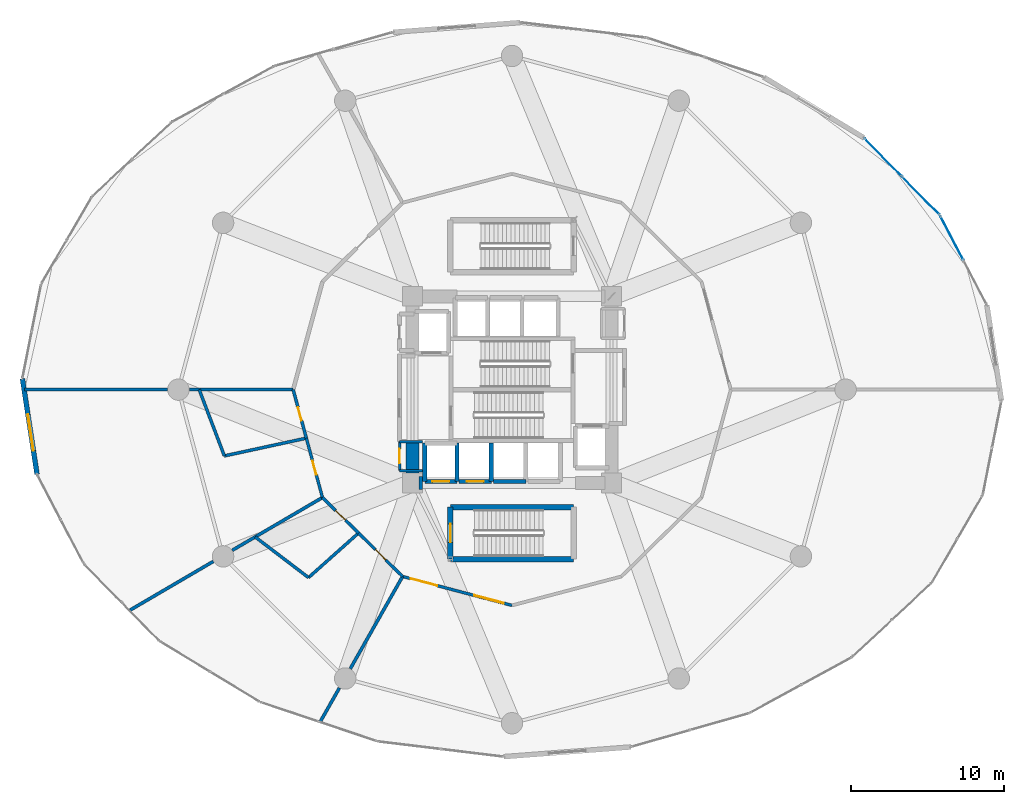
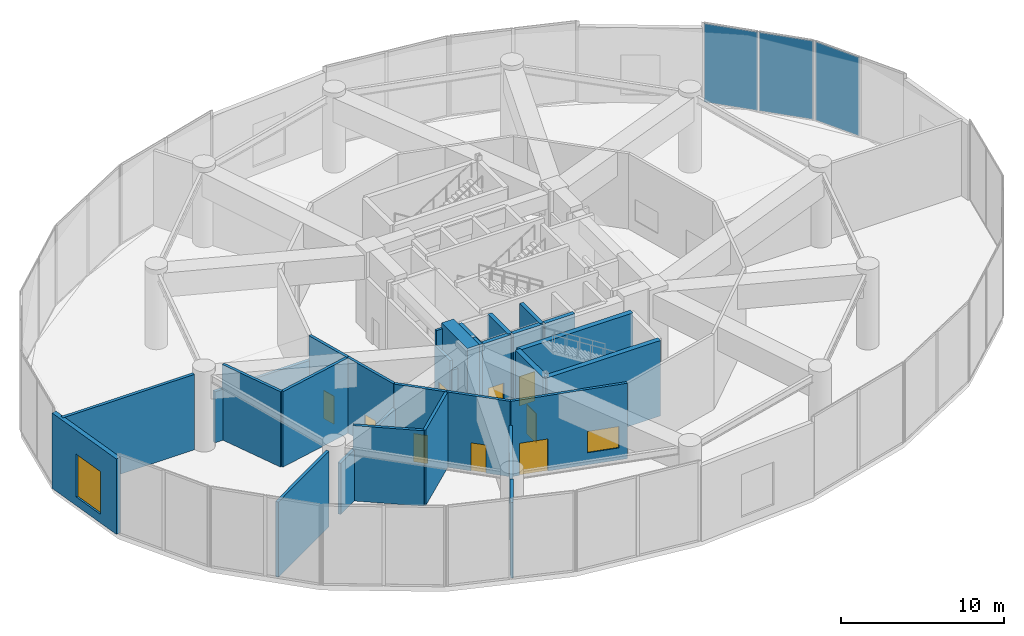
# One storey, part 23 of 28: 30 walls, 9 doors, 3 plates, 2 windows, 11 openings, 2 elements without a shape of their own.
"""IFC4 building model written with IfcOpenShell, lengths in metres."""

from ifc_helpers import new_model, si_unit, direction, frame, frame_2d, origin, origin_2d, place, context, subcontext, project, spatial, rectangle, extrude, source, transform, mapped, material, layer, layer_set, type_object, element, fill, aggregate, save


model = new_model("IFC4")

# Units and contexts
model_context = context("Model", 3, precision=1e-05, world=origin(), true_north=direction((0.0, 1.0)))
body_context = subcontext(model_context, "Body", "Model", "MODEL_VIEW")
ifc_project = project(units=[si_unit("LENGTHUNIT", "METRE"), si_unit("AREAUNIT", "SQUARE_METRE"), si_unit("VOLUMEUNIT", "CUBIC_METRE"), si_unit("PLANEANGLEUNIT", "RADIAN"), si_unit("MASSUNIT", "GRAM", prefix="KILO")], contexts=[model_context])

# Site, building, storey
site_placement = place(None, origin())
site = spatial("IfcSite", under=ifc_project, at=site_placement, CompositionType="ELEMENT")
building_placement = place(site_placement, origin())
building = spatial("IfcBuilding", under=site, at=building_placement, Name="Solvirekh Grand Hotel", CompositionType="ELEMENT")
storey_placement = place(building_placement, frame((0.0, 0.0, 12.60009765625)))
storey = spatial("IfcBuildingStorey", under=building, at=storey_placement, Name="L02", CompositionType="ELEMENT", Elevation=12.60009765625)

# Curtain wall, plate
ifc_material_1 = material(Name="Anodized Bronze Aluminium 6063-T6", Category="aluminium")
ifc_layer_1 = layer(ifc_material_1, 0.219970703125)
ifc_layer_set_1 = layer_set([ifc_layer_1], Name="Anodized Bronze Aluminium 6063-T6")
curtain_wall_type = type_object("IfcCurtainWallType", Name="CW_Sys1_PodiumBronzeUnitised", PredefinedType="NOTDEFINED", material=ifc_layer_set_1)
curtain_wall_1_placement = place(storey_placement, origin())
curtain_wall_1 = element("IfcCurtainWall", 1, at=curtain_wall_1_placement, inside=storey, type_object=curtain_wall_type, Name="L02 unitised bronze-glass curtain wall CW-L02-C02", PredefinedType="NOTDEFINED")
ifc_material_2 = material(Name="Low-E Tinted Bronze Laminated Glass", Category="aluminium")
ifc_layer_2 = layer(ifc_material_2, 0.0439453125)
ifc_layer_set_2 = layer_set([ifc_layer_2], Name="Low-E Tinted Bronze Laminated Glass")
plate_type = type_object("IfcPlateType", Name="CWPanel_Podium_44", PredefinedType="CURTAIN_PANEL", material=ifc_layer_set_2)
shared_shape_1 = source(origin(), body_context, "Body", "SweptSolid", [
    extrude(rectangle(XDim=3.193603515625, YDim=0.0439453125, at=origin_2d()), origin(), (0.0, 0.0, 1.0), 5.8701171875),
])
plate_1_placement = place(storey_placement, frame((28.74951171875, 9.89697265625, 0.06494140625), z_axis=(0.0, 0.0, 1.0), x_axis=(-0.463831802821, 0.885923280364, 0.0)))
plate_1 = element("IfcPlate", 2, at=plate_1_placement, type_object=plate_type, Name="U01 panel 2.1", PredefinedType="CURTAIN_PANEL", context=body_context, shape_type="MappedRepresentation", body=[
    mapped(shared_shape_1, transform((0.0, 0.0, 0.0), x_axis=(1.0, 0.0, 0.0), y_axis=(0.0, 1.0, 0.0), z_axis=(0.0, 0.0, 1.0), scale=1.0)),
])
aggregate(curtain_wall_1, [plate_1])

# Curtain wall, plates
curtain_wall_2_placement = place(storey_placement, origin())
curtain_wall_2 = element("IfcCurtainWall", 3, at=curtain_wall_2_placement, inside=storey, type_object=curtain_wall_type, Name="L02 unitised bronze-glass curtain wall CW-L02-C03", PredefinedType="NOTDEFINED")
shared_shape_2 = source(origin(), body_context, "Body", "SweptSolid", [
    extrude(rectangle(XDim=3.443115234375, YDim=0.0439453125, at=origin_2d()), origin(), (0.0, 0.0, 1.0), 5.8701171875),
])
plate_2_placement = place(storey_placement, frame((26.717529296875, 12.662109375, 0.06494140625), z_axis=(0.0, 0.0, 1.0), x_axis=(-0.699330083505, 0.714798876821, 0.0)))
plate_2 = element("IfcPlate", 4, at=plate_2_placement, type_object=plate_type, Name="U01 panel 1.1", PredefinedType="CURTAIN_PANEL", context=body_context, shape_type="MappedRepresentation", body=[
    mapped(shared_shape_2, transform((0.0, 0.0, 0.0), x_axis=(1.0, 0.0, 0.0), y_axis=(0.0, 1.0, 0.0), z_axis=(0.0, 0.0, 1.0), scale=1.0)),
])
plate_3_placement = place(storey_placement, frame((24.25732421875, 15.1767578125, 0.06494140625), z_axis=(0.0, 0.0, 1.0), x_axis=(-0.699330083505, 0.714798876821, 0.0)))
plate_3 = element("IfcPlate", 5, at=plate_3_placement, type_object=plate_type, Name="U01 panel 2.1", PredefinedType="CURTAIN_PANEL", context=body_context, shape_type="MappedRepresentation", body=[
    mapped(shared_shape_2, transform((0.0, 0.0, 0.0), x_axis=(1.0, 0.0, 0.0), y_axis=(0.0, 1.0, 0.0), z_axis=(0.0, 0.0, 1.0), scale=1.0)),
])
aggregate(curtain_wall_2, [plate_2, plate_3])

# Wall, opening, door
ifc_material_3 = material(Name="Concrete C50/60", Category="concrete")
ifc_layer_3 = layer(ifc_material_3, 0.35009765625)
ifc_layer_set_3 = layer_set([ifc_layer_3], Name="Concrete C50/60")
wall_type_1 = type_object("IfcWallType", Name="CoreDivWall_RC350", PredefinedType="SOLIDWALL", material=ifc_layer_set_3)
wall_1_placement = place(storey_placement, frame((-4.02490234375, -11.074951171875, 0.0), z_axis=(0.0, 0.0, 1.0), x_axis=(0.0, 1.0, 0.0)))
wall_1 = element("IfcWall", 6, at=wall_1_placement, inside=storey, type_object=wall_type_1, Name="L02 podium stair ST-3 west landing wall", PredefinedType="SOLIDWALL", context=body_context, shape_type="SweptSolid", body=[
    extrude(rectangle(XDim=3.39990234375, YDim=0.35009765625, at=frame_2d((1.699951171875, 0.0))), origin(), (0.0, 0.0, 1.0), 5.639892578125),
])
opening_1_placement = place(wall_1_placement, frame((1.10009765625, 0.0, 0.0)))
opening_1 = element("IfcOpeningElement", 7, at=opening_1_placement, cuts=wall_1, Name="Opening D05", PredefinedType="OPENING", context=body_context, shape_type="SweptSolid", body=[
    extrude(rectangle(XDim=1.199951171875, YDim=2.199951171875, at=frame_2d((0.60009765625, 1.10009765625))), frame((0.0, 0.18505859375, 0.0), z_axis=(0.0, -1.0, 0.0), x_axis=(1.0, 0.0, 0.0)), (0.0, 0.0, 1.0), 0.3701171875),
])
ifc_material_4 = material(Name="Fire-Rated Steel Door Assembly", Category="steel")
door_type_1 = type_object("IfcDoorType", Name="Door_StairCore_1200X2200", OperationType="NOTDEFINED", PredefinedType="DOOR", material=ifc_material_4)
door_1_placement = place(opening_1_placement, origin())
door_1 = element("IfcDoor", 8, at=door_1_placement, inside=storey, type_object=door_type_1, Name="L02 podium stair ST-3 fire door", OperationType="SINGLE_SWING_RIGHT", OverallHeight=2.199951171875, OverallWidth=1.199951171875, PredefinedType="DOOR", context=body_context, shape_type="SweptSolid", body=[
    extrude(rectangle(XDim=1.199951171875, YDim=2.199951171875, at=frame_2d((0.60009765625, 1.10009765625))), frame((0.0, 0.02490234375, 0.0), z_axis=(0.0, -1.0, 0.0), x_axis=(1.0, 0.0, 0.0)), (0.0, 0.0, 1.0), 0.050048828125),
])
fill(opening_1, door_1)

# Walls
for number, where, z_axis, x_axis, name in (
    (9, (-4.02490234375, -11.074951171875, 0.0), (0.0, 0.0, 1.0), (1.0, 0.0, 0.0), "L02 podium stair ST-3 S enclosure wall"),
    (10, (4.02490234375, -7.675048828125, 0.0), (0.0, 0.0, 1.0), (-1.0, 0.0, 0.0), "L02 podium stair ST-3 N enclosure wall"),
):
    element("IfcWall", number, at=place(storey_placement, frame(where, z_axis=z_axis, x_axis=x_axis)), inside=storey, type_object=wall_type_1, Name=name, PredefinedType="SOLIDWALL", context=body_context, shape_type="SweptSolid", body=[
        extrude(rectangle(XDim=8.0498046875, YDim=0.35009765625, at=frame_2d((4.02490234375, 0.0))), origin(), (0.0, 0.0, 1.0), 5.639892578125),
    ])

# Wall, opening, door
ifc_material_5 = material(Name="Concrete C40/50", Category="concrete")
ifc_layer_4 = layer(ifc_material_5, 0.280029296875)
ifc_layer_set_4 = layer_set([ifc_layer_4], Name="Concrete C40/50")
wall_type_2 = type_object("IfcWallType", Name="CoreShaftWall_RC280", PredefinedType="SOLIDWALL", material=ifc_layer_set_4)
wall_2_placement = place(storey_placement, frame((-5.699951171875, -6.0, 0.0), z_axis=(0.0, 0.0, 1.0), x_axis=(1.0, 0.0, 0.0)))
wall_2 = element("IfcWall", 11, at=wall_2_placement, inside=storey, type_object=wall_type_2, Name="L02 LP-1 hoistway S wall", PredefinedType="SOLIDWALL", context=body_context, shape_type="SweptSolid", body=[
    extrude(rectangle(XDim=2.099853515625, YDim=0.280029296875, at=frame_2d((1.0498046875, 0.0))), origin(), (0.0, 0.0, 1.0), 5.639892578125),
])
opening_2_placement = place(wall_2_placement, frame((0.5, 0.0, 0.0)))
opening_2 = element("IfcOpeningElement", 12, at=opening_2_placement, cuts=wall_2, Name="Opening LD01", PredefinedType="OPENING", context=body_context, shape_type="SweptSolid", body=[
    extrude(rectangle(XDim=1.10009765625, YDim=2.199951171875, at=frame_2d((0.550048828125, 1.10009765625))), frame((0.0, 0.14990234375, 0.0), z_axis=(0.0, -1.0, 0.0), x_axis=(1.0, 0.0, 0.0)), (0.0, 0.0, 1.0), 0.300048828125),
])
door_type_2 = type_object("IfcDoorType", Name="Door_LiftLanding_1100X2200", OperationType="SLIDING_TO_LEFT", PredefinedType="DOOR", material=ifc_material_4)
door_2_placement = place(opening_2_placement, origin())
door_2 = element("IfcDoor", 13, at=door_2_placement, inside=storey, type_object=door_type_2, Name="L02 LP-1 sliding lift landing door", OperationType="SLIDING_TO_LEFT", OverallHeight=2.199951171875, OverallWidth=1.10009765625, PredefinedType="DOOR", context=body_context, shape_type="SweptSolid", body=[
    extrude(rectangle(XDim=1.10009765625, YDim=2.199951171875, at=frame_2d((0.550048828125, 1.10009765625))), frame((0.0, 0.02490234375, 0.0), z_axis=(0.0, -1.0, 0.0), x_axis=(1.0, 0.0, 0.0)), (0.0, 0.0, 1.0), 0.050048828125),
])
fill(opening_2, door_2)

# Walls
for number, where, z_axis, x_axis, name in (
    (14, (-5.699951171875, -3.5, 0.0), (0.0, 0.0, 1.0), (0.0, -1.0, 0.0), "L02 LP-1 hoistway W wall"),
    (15, (-3.60009765625, -6.0, 0.0), (0.0, 0.0, 1.0), (0.0, 1.0, 0.0), "L02 LP-1 hoistway E wall"),
):
    element("IfcWall", number, at=place(storey_placement, frame(where, z_axis=z_axis, x_axis=x_axis)), inside=storey, type_object=wall_type_2, Name=name, PredefinedType="SOLIDWALL", context=body_context, shape_type="SweptSolid", body=[
        extrude(rectangle(XDim=2.5, YDim=0.280029296875, at=frame_2d((1.25, 0.0))), origin(), (0.0, 0.0, 1.0), 5.639892578125),
    ])

# Wall, opening, door
wall_3_placement = place(storey_placement, frame((-3.449951171875, -6.0, 0.0), z_axis=(0.0, 0.0, 1.0), x_axis=(1.0, 0.0, 0.0)))
wall_3 = element("IfcWall", 16, at=wall_3_placement, inside=storey, type_object=wall_type_2, Name="L02 LP-2 hoistway S wall", PredefinedType="SOLIDWALL", context=body_context, shape_type="SweptSolid", body=[
    extrude(rectangle(XDim=2.099853515625, YDim=0.280029296875, at=frame_2d((1.0498046875, 0.0))), origin(), (0.0, 0.0, 1.0), 5.639892578125),
])
opening_3_placement = place(wall_3_placement, frame((0.5, 0.0, 0.0)))
opening_3 = element("IfcOpeningElement", 17, at=opening_3_placement, cuts=wall_3, Name="Opening LD01", PredefinedType="OPENING", context=body_context, shape_type="SweptSolid", body=[
    extrude(rectangle(XDim=1.10009765625, YDim=2.199951171875, at=frame_2d((0.550048828125, 1.10009765625))), frame((0.0, 0.14990234375, 0.0), z_axis=(0.0, -1.0, 0.0), x_axis=(1.0, 0.0, 0.0)), (0.0, 0.0, 1.0), 0.300048828125),
])
door_3_placement = place(opening_3_placement, origin())
door_3 = element("IfcDoor", 18, at=door_3_placement, inside=storey, type_object=door_type_2, Name="L02 LP-2 sliding lift landing door", OperationType="SLIDING_TO_LEFT", OverallHeight=2.199951171875, OverallWidth=1.10009765625, PredefinedType="DOOR", context=body_context, shape_type="SweptSolid", body=[
    extrude(rectangle(XDim=1.10009765625, YDim=2.199951171875, at=frame_2d((0.550048828125, 1.10009765625))), frame((0.0, 0.02490234375, 0.0), z_axis=(0.0, -1.0, 0.0), x_axis=(1.0, 0.0, 0.0)), (0.0, 0.0, 1.0), 0.050048828125),
])
fill(opening_3, door_3)

# Walls
wall_4_placement = place(storey_placement, frame((-1.35009765625, -6.0, 0.0), z_axis=(0.0, 0.0, 1.0), x_axis=(0.0, 1.0, 0.0)))
element("IfcWall", 19, at=wall_4_placement, inside=storey, type_object=wall_type_2, Name="L02 LP-2 hoistway E wall", PredefinedType="SOLIDWALL", context=body_context, shape_type="SweptSolid", body=[
    extrude(rectangle(XDim=2.5, YDim=0.280029296875, at=frame_2d((1.25, 0.0))), origin(), (0.0, 0.0, 1.0), 5.639892578125),
])
wall_5_placement = place(storey_placement, frame((-1.199951171875, -6.0, 0.0), z_axis=(0.0, 0.0, 1.0), x_axis=(1.0, 0.0, 0.0)))
element("IfcWall", 20, at=wall_5_placement, inside=storey, type_object=wall_type_2, Name="L02 MP-1 hoistway S wall", PredefinedType="SOLIDWALL", context=body_context, shape_type="SweptSolid", body=[
    extrude(rectangle(XDim=2.099853515625, YDim=0.280029296875, at=frame_2d((1.0498046875, 0.0))), origin(), (0.0, 0.0, 1.0), 5.639892578125),
])
ifc_material_6 = material(Name="Concrete C60/75", Category="concrete")
ifc_layer_5 = layer(ifc_material_6, 0.85009765625)
ifc_layer_set_5 = layer_set([ifc_layer_5], Name="Concrete C60/75")
wall_type_3 = type_object("IfcWallType", Name="CoreWall_RC850", PredefinedType="SHEAR", material=ifc_layer_set_5)
wall_6_placement = place(storey_placement, frame((-6.074951171875, -6.10009765625, 0.0), z_axis=(0.0, 0.0, 1.0), x_axis=(1.0, 0.0, 0.0)))
element("IfcWall", 21, at=wall_6_placement, inside=storey, type_object=wall_type_3, Name="L02 core corner shear wall SW-S", PredefinedType="SHEAR", context=body_context, shape_type="SweptSolid", body=[
    extrude(rectangle(XDim=0.224853515625, YDim=0.85009765625, at=frame_2d((0.1123046875, 0.0))), origin(), (0.0, 0.0, 1.0), 6.0),
])
wall_7_placement = place(storey_placement, frame((-6.5, -6.52490234375, 0.0), z_axis=(0.0, 0.0, 1.0), x_axis=(0.0, 1.0, 0.0)))
element("IfcWall", 22, at=wall_7_placement, inside=storey, type_object=wall_type_3, Name="L02 core corner shear wall WS-W", PredefinedType="SHEAR", context=body_context, shape_type="SweptSolid", body=[
    extrude(rectangle(XDim=3.1748046875, YDim=0.85009765625, at=frame_2d((1.58740234375, 0.0))), origin(), (0.0, 0.0, 1.0), 6.0),
])

# Wall, opening, window
ifc_material_7 = material(Name="Precast concrete C45/55", Category="concrete")
ifc_layer_6 = layer(ifc_material_7, 0.320068359375)
ifc_layer_set_6 = layer_set([ifc_layer_6], Name="Precast concrete C45/55")
wall_type_4 = type_object("IfcWallType", Name="ExtLobbyWall_RC320", PredefinedType="SOLIDWALL", material=ifc_layer_set_6)
wall_8_placement = place(storey_placement, frame((-31.041015625, -5.52001953125, 0.0), z_axis=(0.0, 0.0, 1.0), x_axis=(-0.150768496596, 0.988569097451, 0.0)))
wall_8 = element("IfcWall", 23, at=wall_8_placement, inside=storey, type_object=wall_type_4, Name="L02 exterior structural wall chord 13", PredefinedType="SOLIDWALL", context=body_context, shape_type="SweptSolid", body=[
    extrude(rectangle(XDim=6.30712890625, YDim=0.320068359375, at=frame_2d((3.153564453125, 0.0))), origin(), (0.0, 0.0, 1.0), 5.639892578125),
])
opening_4_placement = place(wall_8_placement, frame((1.5390625, 0.0, 0.64990234375)))
opening_4 = element("IfcOpeningElement", 24, at=opening_4_placement, cuts=wall_8, Name="Opening W01", PredefinedType="OPENING", context=body_context, shape_type="SweptSolid", body=[
    extrude(rectangle(XDim=2.39990234375, YDim=3.199951171875, at=frame_2d((1.199951171875, 1.60009765625))), frame((0.0, 0.169921875, 0.0), z_axis=(0.0, -1.0, 0.0), x_axis=(1.0, 0.0, 0.0)), (0.0, 0.0, 1.0), 0.340087890625),
])
window_type_1 = type_object("IfcWindowType", Name="Win_LobbyExt_2400X3200", PartitioningType="SINGLE_PANEL", PredefinedType="WINDOW", material=ifc_material_2)
window_1_placement = place(opening_4_placement, origin())
window_1 = element("IfcWindow", 25, at=window_1_placement, inside=storey, type_object=window_type_1, Name="L02 panoramic bronze-framed window 13", OverallHeight=3.199951171875, OverallWidth=2.39990234375, PartitioningType="SINGLE_PANEL", PredefinedType="WINDOW", context=body_context, shape_type="SweptSolid", body=[
    extrude(rectangle(XDim=2.39990234375, YDim=3.199951171875, at=frame_2d((1.199951171875, 1.60009765625))), frame((0.0, 0.030029296875, 0.0), z_axis=(0.0, -1.0, 0.0), x_axis=(1.0, 0.0, 0.0)), (0.0, 0.0, 1.0), 0.06005859375),
])
fill(opening_4, window_1)

# Walls
ifc_material_8 = material(Name="Acoustic Gypsum Partition Assembly")
ifc_layer_7 = layer(ifc_material_8, 0.1650390625)
ifc_layer_set_7 = layer_set([ifc_layer_7], Name="Acoustic Gypsum Partition Assembly")
wall_type_5 = type_object("IfcWallType", Name="Part_BOH_165", PredefinedType="PARTITIONING", material=ifc_layer_set_7)
wall_9_placement = place(storey_placement, frame((-7.35009765625, -5.300048828125, 0.0), z_axis=(0.0, 0.0, 1.0), x_axis=(1.0, 0.0, 0.0)))
element("IfcWall", 26, at=wall_9_placement, inside=storey, type_object=wall_type_5, Name="L02 L02 Butler Service Closet wall 1", PredefinedType="PARTITIONING", context=body_context, shape_type="SweptSolid", body=[
    extrude(rectangle(XDim=1.5, YDim=0.1650390625, at=frame_2d((0.75, 0.0))), origin(), (0.0, 0.0, 1.0), 3.824951171875),
])
wall_10_placement = place(storey_placement, frame((-5.85009765625, -3.39990234375, 0.0), z_axis=(0.0, 0.0, 1.0), x_axis=(-1.0, 0.0, 0.0)))
element("IfcWall", 27, at=wall_10_placement, inside=storey, type_object=wall_type_5, Name="L02 L02 Butler Service Closet wall 3", PredefinedType="PARTITIONING", context=body_context, shape_type="SweptSolid", body=[
    extrude(rectangle(XDim=1.5, YDim=0.1650390625, at=frame_2d((0.75, 0.0))), origin(), (0.0, 0.0, 1.0), 5.639892578125),
])

# Wall, opening, door
wall_11_placement = place(storey_placement, frame((-7.35009765625, -3.39990234375, 0.0), z_axis=(0.0, 0.0, 1.0), x_axis=(0.0, -1.0, 0.0)))
wall_11 = element("IfcWall", 28, at=wall_11_placement, inside=storey, type_object=wall_type_5, Name="L02 L02 Butler Service Closet wall 4", PredefinedType="PARTITIONING", context=body_context, shape_type="SweptSolid", body=[
    extrude(rectangle(XDim=1.900146484375, YDim=0.1650390625, at=frame_2d((0.9501953125, 0.0))), origin(), (0.0, 0.0, 1.0), 4.52490234375),
])
opening_5_placement = place(wall_11_placement, frame((0.47509765625, 0.0, 0.0)))
opening_5 = element("IfcOpeningElement", 29, at=opening_5_placement, cuts=wall_11, Name="Opening D10", PredefinedType="OPENING", context=body_context, shape_type="SweptSolid", body=[
    extrude(rectangle(XDim=0.949951171875, YDim=2.10009765625, at=frame_2d((0.47509765625, 1.050048828125))), frame((0.0, 0.092529296875, 0.0), z_axis=(0.0, -1.0, 0.0), x_axis=(1.0, 0.0, 0.0)), (0.0, 0.0, 1.0), 0.18505859375),
])
door_type_3 = type_object("IfcDoorType", Name="Door_RoomInt_950X2100", OperationType="NOTDEFINED", PredefinedType="DOOR", material=ifc_material_1)
door_4_placement = place(opening_5_placement, origin())
door_4 = element("IfcDoor", 30, at=door_4_placement, inside=storey, type_object=door_type_3, Name="L02 L02 Butler Service Closet door", OperationType="SINGLE_SWING_LEFT", OverallHeight=2.10009765625, OverallWidth=0.949951171875, PredefinedType="DOOR", context=body_context, shape_type="SweptSolid", body=[
    extrude(rectangle(XDim=0.949951171875, YDim=2.10009765625, at=frame_2d((0.47509765625, 1.050048828125))), frame((0.0, 0.02490234375, 0.0), z_axis=(0.0, -1.0, 0.0), x_axis=(1.0, 0.0, 0.0)), (0.0, 0.0, 1.0), 0.050048828125),
])
fill(opening_5, door_4)

ifc_layer_8 = layer(ifc_material_8, 0.18994140625)
ifc_layer_set_8 = layer_set([ifc_layer_8], Name="Acoustic Gypsum Partition Assembly")
wall_type_6 = type_object("IfcWallType", Name="Part_GuestDemise_190", PredefinedType="PARTITIONING", material=ifc_layer_set_8)
wall_12_placement = place(storey_placement, frame((-13.43798828125, -3.172119140625, 0.0), z_axis=(0.0, 0.0, 1.0), x_axis=(0.262269103922, -0.9649947757, 0.0)))
wall_12 = element("IfcWall", 31, at=wall_12_placement, inside=storey, type_object=wall_type_6, Name="L02 Grand Ballroom Coat & Cloakroom Salon corridor wall", PredefinedType="PARTITIONING", context=body_context, shape_type="SweptSolid", body=[
    extrude(rectangle(XDim=4.0185546875, YDim=0.18994140625, at=frame_2d((2.00927734375, 0.0))), origin(), (0.0, 0.0, 1.0), 5.639892578125),
])
opening_6_placement = place(wall_12_placement, frame((1.533935546875, 0.0, 0.0)))
opening_6 = element("IfcOpeningElement", 32, at=opening_6_placement, cuts=wall_12, Name="Opening D10", PredefinedType="OPENING", context=body_context, shape_type="SweptSolid", body=[
    extrude(rectangle(XDim=0.949951171875, YDim=2.10009765625, at=frame_2d((0.47509765625, 1.050048828125))), frame((0.0, 0.10498046875, 0.0), z_axis=(0.0, -1.0, 0.0), x_axis=(1.0, 0.0, 0.0)), (0.0, 0.0, 1.0), 0.2099609375),
])
door_5_placement = place(opening_6_placement, origin())
door_5 = element("IfcDoor", 33, at=door_5_placement, inside=storey, type_object=door_type_3, Name="L02 Grand Ballroom Coat & Cloakroom Salon entrance door", OperationType="SINGLE_SWING_RIGHT", OverallHeight=2.10009765625, OverallWidth=0.949951171875, PredefinedType="DOOR", context=body_context, shape_type="SweptSolid", body=[
    extrude(rectangle(XDim=0.949951171875, YDim=2.10009765625, at=frame_2d((0.47509765625, 1.050048828125))), frame((0.0, 0.02490234375, 0.0), z_axis=(0.0, -1.0, 0.0), x_axis=(1.0, 0.0, 0.0)), (0.0, 0.0, 1.0), 0.050048828125),
])
fill(opening_6, door_5)

wall_13_placement = place(storey_placement, frame((-10.029052734375, -9.3720703125, 0.0), z_axis=(0.0, 0.0, 1.0), x_axis=(0.712070649597, -0.702107819343, 0.0)))
wall_13 = element("IfcWall", 34, at=wall_13_placement, inside=storey, type_object=wall_type_6, Name="L02 Bridal & VIP Preparation Salon corridor wall", PredefinedType="PARTITIONING", context=body_context, shape_type="SweptSolid", body=[
    extrude(rectangle(XDim=4.04345703125, YDim=0.18994140625, at=frame_2d((2.021728515625, 0.0))), origin(), (0.0, 0.0, 1.0), 5.639892578125),
])
opening_7_placement = place(wall_13_placement, frame((1.547119140625, 0.0, 0.0)))
opening_7 = element("IfcOpeningElement", 35, at=opening_7_placement, cuts=wall_13, Name="Opening D10", PredefinedType="OPENING", context=body_context, shape_type="SweptSolid", body=[
    extrude(rectangle(XDim=0.949951171875, YDim=2.10009765625, at=frame_2d((0.47509765625, 1.050048828125))), frame((0.0, 0.10498046875, 0.0), z_axis=(0.0, -1.0, 0.0), x_axis=(1.0, 0.0, 0.0)), (0.0, 0.0, 1.0), 0.2099609375),
])
door_6_placement = place(opening_7_placement, origin())
door_6 = element("IfcDoor", 36, at=door_6_placement, inside=storey, type_object=door_type_3, Name="L02 Bridal & VIP Preparation Salon entrance door", OperationType="SINGLE_SWING_RIGHT", OverallHeight=2.10009765625, OverallWidth=0.949951171875, PredefinedType="DOOR", context=body_context, shape_type="SweptSolid", body=[
    extrude(rectangle(XDim=0.949951171875, YDim=2.10009765625, at=frame_2d((0.47509765625, 1.050048828125))), frame((0.0, 0.02490234375, 0.0), z_axis=(0.0, -1.0, 0.0), x_axis=(1.0, 0.0, 0.0)), (0.0, 0.0, 1.0), 0.050048828125),
])
fill(opening_7, door_6)

# Wall, openings, door, window
wall_14_placement = place(storey_placement, frame((-7.14990234375, -12.2109375, 0.0), z_axis=(0.0, 0.0, 1.0), x_axis=(0.966820901533, -0.255455170937, 0.0)))
wall_14 = element("IfcWall", 37, at=wall_14_placement, inside=storey, type_object=wall_type_6, Name="L02 Grand Ballroom corridor wall", PredefinedType="PARTITIONING", context=body_context, shape_type="SweptSolid", body=[
    extrude(rectangle(XDim=7.395263671875, YDim=0.18994140625, at=frame_2d((3.69775390625, 0.0))), origin(), (0.0, 0.0, 1.0), 5.639892578125),
])
opening_8_placement = place(wall_14_placement, frame((0.550048828125, 0.0, 0.0)))
opening_8 = element("IfcOpeningElement", 38, at=opening_8_placement, cuts=wall_14, Name="Opening D11", PredefinedType="OPENING", context=body_context, shape_type="SweptSolid", body=[
    extrude(rectangle(XDim=1.800048828125, YDim=2.39990234375, at=frame_2d((0.89990234375, 1.199951171875))), frame((0.0, 0.10498046875, 0.0), z_axis=(0.0, -1.0, 0.0), x_axis=(1.0, 0.0, 0.0)), (0.0, 0.0, 1.0), 0.2099609375),
])
opening_9_placement = place(wall_14_placement, frame((4.844970703125, 0.0, 0.89990234375)))
opening_9 = element("IfcOpeningElement", 39, at=opening_9_placement, cuts=wall_14, Name="Opening W03", PredefinedType="OPENING", context=body_context, shape_type="SweptSolid", body=[
    extrude(rectangle(XDim=2.0, YDim=1.60009765625, at=frame_2d((1.0, 0.800048828125))), frame((0.0, 0.10498046875, 0.0), z_axis=(0.0, -1.0, 0.0), x_axis=(1.0, 0.0, 0.0)), (0.0, 0.0, 1.0), 0.2099609375),
])
door_type_4 = type_object("IfcDoorType", Name="Door_Ballroom_1800X2400", OperationType="NOTDEFINED", PredefinedType="DOOR", material=ifc_material_4)
door_7_placement = place(opening_8_placement, origin())
door_7 = element("IfcDoor", 40, at=door_7_placement, inside=storey, type_object=door_type_4, Name="L02 Grand Ballroom entrance door", OperationType="SINGLE_SWING_LEFT", OverallHeight=2.39990234375, OverallWidth=1.800048828125, PredefinedType="DOOR", context=body_context, shape_type="SweptSolid", body=[
    extrude(rectangle(XDim=1.800048828125, YDim=2.39990234375, at=frame_2d((0.89990234375, 1.199951171875))), frame((0.0, 0.02490234375, 0.0), z_axis=(0.0, -1.0, 0.0), x_axis=(1.0, 0.0, 0.0)), (0.0, 0.0, 1.0), 0.050048828125),
])
fill(opening_8, door_7)
ifc_material_9 = material(Name="Fire-Rated Ceramic Glazing", Category="glass")
window_type_2 = type_object("IfcWindowType", Name="Win_FoyerInt_2000X1600", PartitioningType="SINGLE_PANEL", PredefinedType="WINDOW", material=ifc_material_9)
window_2_placement = place(opening_9_placement, origin())
window_2 = element("IfcWindow", 41, at=window_2_placement, inside=storey, type_object=window_type_2, Name="L02 Grand Ballroom interior glazed screen", OverallHeight=1.60009765625, OverallWidth=2.0, PartitioningType="SINGLE_PANEL", PredefinedType="WINDOW", context=body_context, shape_type="SweptSolid", body=[
    extrude(rectangle(XDim=2.0, YDim=1.60009765625, at=frame_2d((1.0, 0.800048828125))), frame((0.0, 0.030029296875, 0.0), z_axis=(0.0, -1.0, 0.0), x_axis=(1.0, 0.0, 0.0)), (0.0, 0.0, 1.0), 0.06005859375),
])
fill(opening_9, window_2)

# Walls
ifc_layer_9 = layer(ifc_material_8, 0.2099609375)
ifc_layer_set_9 = layer_set([ifc_layer_9], Name="Acoustic Gypsum Partition Assembly")
wall_type_7 = type_object("IfcWallType", Name="Part_SuiteDemise_210", PredefinedType="PARTITIONING", material=ifc_layer_set_9)
wall_15_placement = place(storey_placement, frame((-14.300048828125, 0.0, 0.0), z_axis=(0.0, 0.0, 1.0), x_axis=(-1.0, 0.0, 0.0)))
element("IfcWall", 42, at=wall_15_placement, inside=storey, type_object=wall_type_7, Name="L02 radial demising wall 7 (A)", PredefinedType="PARTITIONING", context=body_context, shape_type="SweptSolid", body=[
    extrude(rectangle(XDim=6.780029296875, YDim=0.2099609375, at=frame_2d((3.39013671875, 0.0))), origin(), (0.0, 0.0, 1.0), 3.824951171875),
])
wall_16_placement = place(storey_placement, frame((-22.52001953125, 0.0, 0.0), z_axis=(0.0, 0.0, 1.0), x_axis=(-1.0, 0.0, 0.0)))
element("IfcWall", 43, at=wall_16_placement, inside=storey, type_object=wall_type_7, Name="L02 radial demising wall 7 (B)", PredefinedType="PARTITIONING", context=body_context, shape_type="SweptSolid", body=[
    extrude(rectangle(XDim=9.322998046875, YDim=0.2099609375, at=frame_2d((4.66162109375, 0.0))), origin(), (0.0, 0.0, 1.0), 5.639892578125),
])
wall_17_placement = place(storey_placement, frame((-12.384033203125, -7.050048828125, 0.0), z_axis=(0.0, 0.0, 1.0), x_axis=(-0.863039168853, -0.505137004213, 0.0)))
element("IfcWall", 44, at=wall_17_placement, inside=storey, type_object=wall_type_7, Name="L02 radial demising wall 8 (A)", PredefinedType="PARTITIONING", context=body_context, shape_type="SweptSolid", body=[
    extrude(rectangle(XDim=6.831787109375, YDim=0.2099609375, at=frame_2d((3.416015625, 0.0))), origin(), (0.0, 0.0, 1.0), 3.824951171875),
])
wall_18_placement = place(storey_placement, frame((-19.52001953125, -11.22705078125, 0.0), z_axis=(0.0, 0.0, 1.0), x_axis=(-0.863055278665, -0.50510947919, 0.0)))
element("IfcWall", 45, at=wall_18_placement, inside=storey, type_object=wall_type_7, Name="L02 radial demising wall 8 (B)", PredefinedType="PARTITIONING", context=body_context, shape_type="SweptSolid", body=[
    extrude(rectangle(XDim=6.29736328125, YDim=0.2099609375, at=frame_2d((3.148681640625, 0.0))), origin(), (0.0, 0.0, 1.0), 5.639892578125),
])
wall_19_placement = place(storey_placement, frame((-7.14990234375, -12.2109375, 0.0), z_axis=(0.0, 0.0, 1.0), x_axis=(-0.493203653226, -0.869913878752, 0.0)))
element("IfcWall", 46, at=wall_19_placement, inside=storey, type_object=wall_type_7, Name="L02 radial demising wall 9 (A)", PredefinedType="PARTITIONING", context=body_context, shape_type="SweptSolid", body=[
    extrude(rectangle(XDim=6.9306640625, YDim=0.2099609375, at=frame_2d((3.46533203125, 0.0))), origin(), (0.0, 0.0, 1.0), 3.824951171875),
])
wall_20_placement = place(storey_placement, frame((-11.277099609375, -19.491943359375, 0.0), z_axis=(0.0, 0.0, 1.0), x_axis=(-0.49310969453, -0.869967142575, 0.0)))
element("IfcWall", 47, at=wall_20_placement, inside=storey, type_object=wall_type_7, Name="L02 radial demising wall 9 (B)", PredefinedType="PARTITIONING", context=body_context, shape_type="SweptSolid", body=[
    extrude(rectangle(XDim=2.536865234375, YDim=0.2099609375, at=frame_2d((1.2685546875, 0.0))), origin(), (0.0, 0.0, 1.0), 5.639892578125),
])

# Wall, opening, door
ifc_layer_10 = layer(ifc_material_8, 0.199951171875)
ifc_layer_set_10 = layer_set([ifc_layer_10], Name="Acoustic Gypsum Partition Assembly")
wall_type_8 = type_object("IfcWallType", Name="Plumb_PublicWC_200", PredefinedType="PLUMBINGWALL", material=ifc_layer_set_10)
wall_21_placement = place(storey_placement, frame((-14.300048828125, 0.0, 0.0), z_axis=(0.0, 0.0, 1.0), x_axis=(0.262250045558, -0.964999955236, 0.0)))
wall_21 = element("IfcWall", 48, at=wall_21_placement, inside=storey, type_object=wall_type_8, Name="L02 Ballroom Accessible WC corridor wall", PredefinedType="PLUMBINGWALL", context=body_context, shape_type="SweptSolid", body=[
    extrude(rectangle(XDim=3.287109375, YDim=0.199951171875, at=frame_2d((1.6435546875, 0.0))), origin(), (0.0, 0.0, 1.0), 5.639892578125),
])
opening_10_placement = place(wall_21_placement, frame((1.194091796875, 0.0, 0.0)))
opening_10 = element("IfcOpeningElement", 49, at=opening_10_placement, cuts=wall_21, Name="Opening D09", PredefinedType="OPENING", context=body_context, shape_type="SweptSolid", body=[
    extrude(rectangle(XDim=0.89990234375, YDim=2.10009765625, at=frame_2d((0.449951171875, 1.050048828125))), frame((0.0, 0.10986328125, 0.0), z_axis=(0.0, -1.0, 0.0), x_axis=(1.0, 0.0, 0.0)), (0.0, 0.0, 1.0), 0.219970703125),
])
door_type_5 = type_object("IfcDoorType", Name="Door_Ensuite_900X2100", OperationType="NOTDEFINED", PredefinedType="DOOR", material=ifc_material_1)
door_8_placement = place(opening_10_placement, origin())
door_8 = element("IfcDoor", 50, at=door_8_placement, inside=storey, type_object=door_type_5, Name="L02 Ballroom Accessible WC entrance door", OperationType="SINGLE_SWING_LEFT", OverallHeight=2.10009765625, OverallWidth=0.89990234375, PredefinedType="DOOR", context=body_context, shape_type="SweptSolid", body=[
    extrude(rectangle(XDim=0.89990234375, YDim=2.10009765625, at=frame_2d((0.449951171875, 1.050048828125))), frame((0.0, 0.02490234375, 0.0), z_axis=(0.0, -1.0, 0.0), x_axis=(1.0, 0.0, 0.0)), (0.0, 0.0, 1.0), 0.050048828125),
])
fill(opening_10, door_8)

# Walls
wall_22_placement = place(storey_placement, frame((-20.43994140625, 0.0, 0.0), z_axis=(0.0, 0.0, 1.0), x_axis=(0.355070404359, -0.934839562678, 0.0)))
element("IfcWall", 51, at=wall_22_placement, inside=storey, type_object=wall_type_8, Name="L02 Ballroom Accessible WC outer plumbing wall", PredefinedType="PLUMBINGWALL", context=body_context, shape_type="SweptSolid", body=[
    extrude(rectangle(XDim=4.633056640625, YDim=0.199951171875, at=frame_2d((2.31640625, 0.0))), origin(), (0.0, 0.0, 1.0), 5.639892578125),
])
wall_23_placement = place(storey_placement, frame((-13.43798828125, -3.172119140625, 0.0), z_axis=(0.0, 0.0, 1.0), x_axis=(-0.977388544576, -0.211451254266, 0.0)))
element("IfcWall", 52, at=wall_23_placement, inside=storey, type_object=wall_type_8, Name="L02 Ballroom Accessible WC dividing plumbing wall", PredefinedType="PLUMBINGWALL", context=body_context, shape_type="SweptSolid", body=[
    extrude(rectangle(XDim=5.48095703125, YDim=0.199951171875, at=frame_2d((2.740478515625, 0.0))), origin(), (0.0, 0.0, 1.0), 5.639892578125),
])

# Wall, opening, door
wall_24_placement = place(storey_placement, frame((-12.384033203125, -7.050048828125, 0.0), z_axis=(0.0, 0.0, 1.0), x_axis=(0.712072104827, -0.70210634346, 0.0)))
wall_24 = element("IfcWall", 53, at=wall_24_placement, inside=storey, type_object=wall_type_8, Name="L02 Ballroom Public Restroom corridor wall", PredefinedType="PLUMBINGWALL", context=body_context, shape_type="SweptSolid", body=[
    extrude(rectangle(XDim=3.30712890625, YDim=0.199951171875, at=frame_2d((1.653564453125, 0.0))), origin(), (0.0, 0.0, 1.0), 5.639892578125),
])
opening_11_placement = place(wall_24_placement, frame((1.2041015625, 0.0, 0.0)))
opening_11 = element("IfcOpeningElement", 54, at=opening_11_placement, cuts=wall_24, Name="Opening D09", PredefinedType="OPENING", context=body_context, shape_type="SweptSolid", body=[
    extrude(rectangle(XDim=0.89990234375, YDim=2.10009765625, at=frame_2d((0.449951171875, 1.050048828125))), frame((0.0, 0.10986328125, 0.0), z_axis=(0.0, -1.0, 0.0), x_axis=(1.0, 0.0, 0.0)), (0.0, 0.0, 1.0), 0.219970703125),
])
door_9_placement = place(opening_11_placement, origin())
door_9 = element("IfcDoor", 55, at=door_9_placement, inside=storey, type_object=door_type_5, Name="L02 Ballroom Public Restroom entrance door", OperationType="SINGLE_SWING_LEFT", OverallHeight=2.10009765625, OverallWidth=0.89990234375, PredefinedType="DOOR", context=body_context, shape_type="SweptSolid", body=[
    extrude(rectangle(XDim=0.89990234375, YDim=2.10009765625, at=frame_2d((0.449951171875, 1.050048828125))), frame((0.0, 0.02490234375, 0.0), z_axis=(0.0, -1.0, 0.0), x_axis=(1.0, 0.0, 0.0)), (0.0, 0.0, 1.0), 0.050048828125),
])
fill(opening_11, door_9)

# Walls
wall_25_placement = place(storey_placement, frame((-16.783935546875, -9.625, 0.0), z_axis=(0.0, 0.0, 1.0), x_axis=(0.795386988506, -0.606101920898, 0.0)))
element("IfcWall", 56, at=wall_25_placement, inside=storey, type_object=wall_type_8, Name="L02 Ballroom Public Restroom outer plumbing wall", PredefinedType="PLUMBINGWALL", context=body_context, shape_type="SweptSolid", body=[
    extrude(rectangle(XDim=4.38525390625, YDim=0.199951171875, at=frame_2d((2.192626953125, 0.0))), origin(), (0.0, 0.0, 1.0), 5.639892578125),
])
wall_26_placement = place(storey_placement, frame((-10.029052734375, -9.3720703125, 0.0), z_axis=(0.0, 0.0, 1.0), x_axis=(-0.746611469302, -0.665260335438, 0.0)))
element("IfcWall", 57, at=wall_26_placement, inside=storey, type_object=wall_type_8, Name="L02 Ballroom Public Restroom dividing plumbing wall", PredefinedType="PLUMBINGWALL", context=body_context, shape_type="SweptSolid", body=[
    extrude(rectangle(XDim=4.37548828125, YDim=0.199951171875, at=frame_2d((2.187744140625, 0.0))), origin(), (0.0, 0.0, 1.0), 5.639892578125),
])

save(model, "model.ifc")
